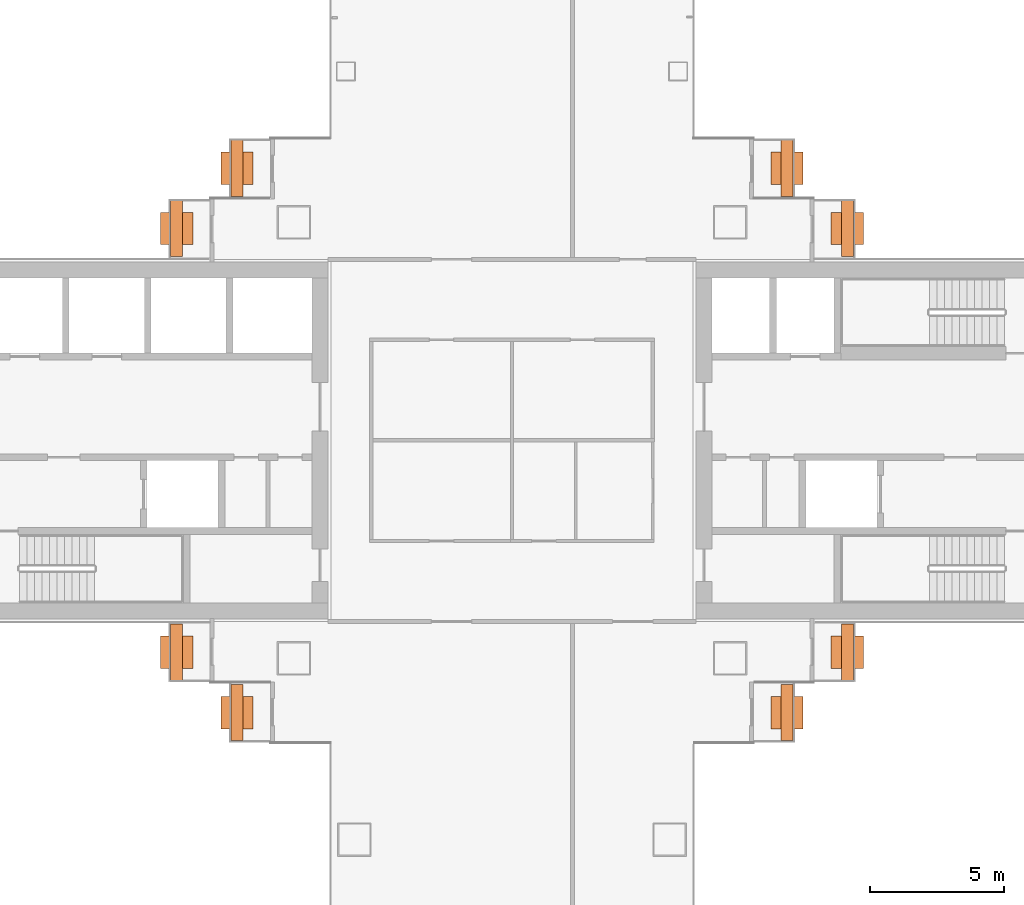
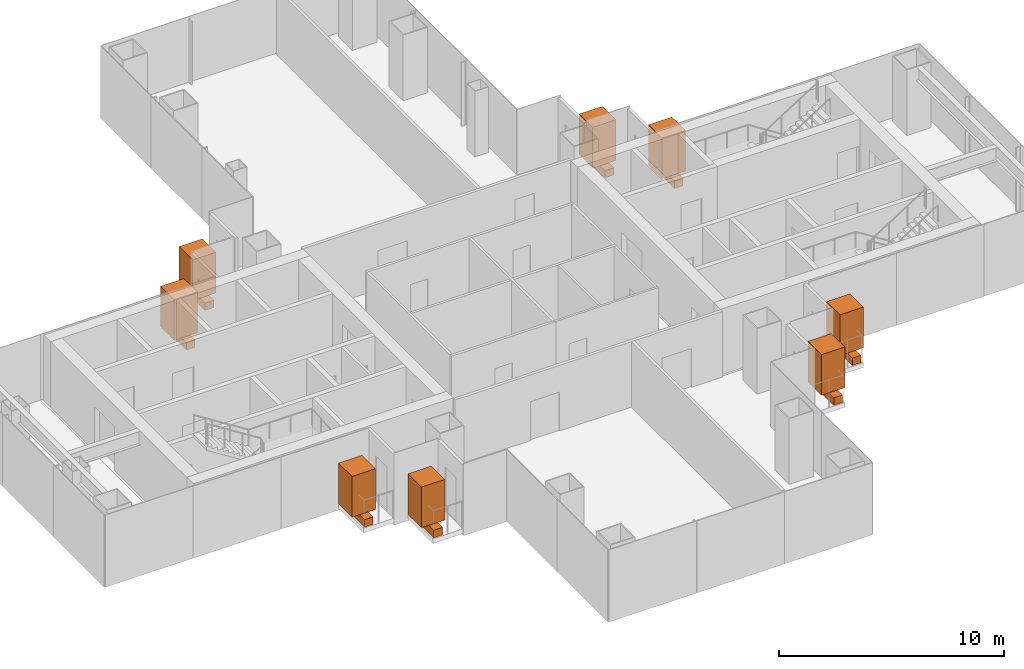
# One storey, part 19 of 19: 8 geographic elements, 8 proxies.
"""IFC4 building model written with IfcOpenShell, lengths in metres."""

from ifc_helpers import new_model, si_unit, direction, frame, origin, origin_2d, place, context, subcontext, project, spatial, rectangle, extrude, material, type_object, element, save


model = new_model("IFC4")

# Units and contexts
model_context = context("Model", 3, precision=1e-05, world=origin(), true_north=direction((0.0, 1.0)))
body_context = subcontext(model_context, "Body", "Model", "MODEL_VIEW")
ifc_project = project(units=[si_unit("LENGTHUNIT", "METRE"), si_unit("AREAUNIT", "SQUARE_METRE"), si_unit("VOLUMEUNIT", "CUBIC_METRE"), si_unit("PLANEANGLEUNIT", "RADIAN"), si_unit("MASSUNIT", "GRAM", prefix="KILO")], contexts=[model_context])

# Site, building, storey
site_placement = place(None, origin())
site = spatial("IfcSite", under=ifc_project, at=site_placement, CompositionType="ELEMENT")
building_placement = place(site_placement, origin())
building = spatial("IfcBuilding", under=site, at=building_placement, Name="Shamsa Quay Exchange Towers", CompositionType="ELEMENT")
storey_placement = place(building_placement, frame((0.0, 0.0, 93.60009765625)))
storey = spatial("IfcBuildingStorey", under=building, at=storey_placement, Name="L21", CompositionType="ELEMENT", Elevation=93.60009765625)

# Proxies
ifc_material_1 = material(Name="Reinforced concrete C30/37, black glass-fibre faced", Category="concrete")
building_element_proxy_type = type_object("IfcBuildingElementProxyType", Name="BALCONY PLANTER", PredefinedType="USERDEFINED", material=ifc_material_1)
for number, where, z_axis, x_axis, name in (
    (1, (23.5048828125, 10.14404296875, 0.0), (0.0, 0.0, 1.0), (0.0, -1.0, 0.0), "PLANTER T2-PKEN L21"),
    (2, (21.2548828125, 7.89404296875, 0.0), (0.0, 0.0, 1.0), (0.0, -1.0, 0.0), "PLANTER T2-PKEN L21"),
    (3, (43.9951171875, 10.14404296875, 0.0), (0.0, 0.0, 1.0), (0.0, 1.0, 0.0), "PLANTER T2-PKES L21"),
    (4, (46.2451171875, 7.89404296875, 0.0), (0.0, 0.0, 1.0), (0.0, 1.0, 0.0), "PLANTER T2-PKES L21"),
    (5, (21.2548828125, -7.89404296875, 0.0), (0.0, 0.0, 1.0), (0.0, -1.0, 0.0), "PLANTER T2-PKWN L21"),
    (6, (23.5048828125, -10.14404296875, 0.0), (0.0, 0.0, 1.0), (0.0, -1.0, 0.0), "PLANTER T2-PKWN L21"),
    (7, (43.9951171875, -10.14404296875, 0.0), (0.0, 0.0, 1.0), (0.0, 1.0, 0.0), "PLANTER T2-PKWS L21"),
    (8, (46.2451171875, -7.89404296875, 0.0), (0.0, 0.0, 1.0), (0.0, 1.0, 0.0), "PLANTER T2-PKWS L21"),
):
    element("IfcBuildingElementProxy", number, at=place(storey_placement, frame(where, z_axis=z_axis, x_axis=x_axis)), inside=storey, type_object=building_element_proxy_type, Name=name, ObjectType="PLANTER", PredefinedType="USERDEFINED", context=body_context, shape_type="SweptSolid", body=[
        extrude(rectangle(XDim=2.092041015625, YDim=0.449951171875, at=origin_2d()), origin(), (0.0, 0.0, 1.0), 0.39990234375),
    ])

# Geographic elements
ifc_material_2 = material(Name="Planting")
geographic_element_type = type_object("IfcGeographicElementType", Name="BALCONY TREE", PredefinedType="USERDEFINED", material=ifc_material_2)
for number, where, z_axis, x_axis, name in (
    (9, (23.5048828125, 10.14404296875, 0.39990234375), (0.0, 0.0, 1.0), (0.0, -1.0, 0.0), "TREE T2-PKEN L21"),
    (10, (21.2548828125, 7.89404296875, 0.39990234375), (0.0, 0.0, 1.0), (0.0, -1.0, 0.0), "TREE T2-PKEN L21"),
    (11, (43.9951171875, 10.14404296875, 0.39990234375), (0.0, 0.0, 1.0), (0.0, 1.0, 0.0), "TREE T2-PKES L21"),
    (12, (46.2451171875, 7.89404296875, 0.39990234375), (0.0, 0.0, 1.0), (0.0, 1.0, 0.0), "TREE T2-PKES L21"),
    (13, (21.2548828125, -7.89404296875, 0.39990234375), (0.0, 0.0, 1.0), (0.0, -1.0, 0.0), "TREE T2-PKWN L21"),
    (14, (23.5048828125, -10.14404296875, 0.39990234375), (0.0, 0.0, 1.0), (0.0, -1.0, 0.0), "TREE T2-PKWN L21"),
    (15, (43.9951171875, -10.14404296875, 0.39990234375), (0.0, 0.0, 1.0), (0.0, 1.0, 0.0), "TREE T2-PKWS L21"),
    (16, (46.2451171875, -7.89404296875, 0.39990234375), (0.0, 0.0, 1.0), (0.0, 1.0, 0.0), "TREE T2-PKWS L21"),
):
    element("IfcGeographicElement", number, at=place(storey_placement, frame(where, z_axis=z_axis, x_axis=x_axis)), inside=storey, type_object=geographic_element_type, Name=name, ObjectType="TREE", PredefinedType="USERDEFINED", context=body_context, shape_type="SweptSolid", body=[
        extrude(rectangle(XDim=1.199951171875, YDim=1.199951171875, at=origin_2d()), origin(), (0.0, 0.0, 1.0), 2.199951171875),
    ])

save(model, "model.ifc")
